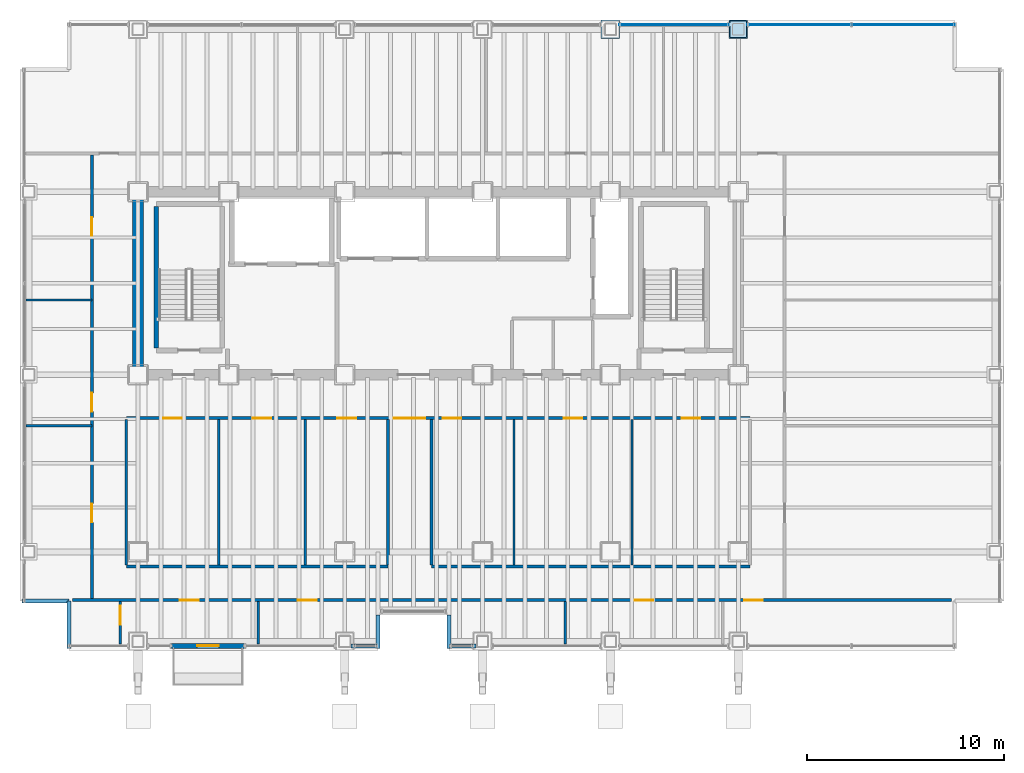
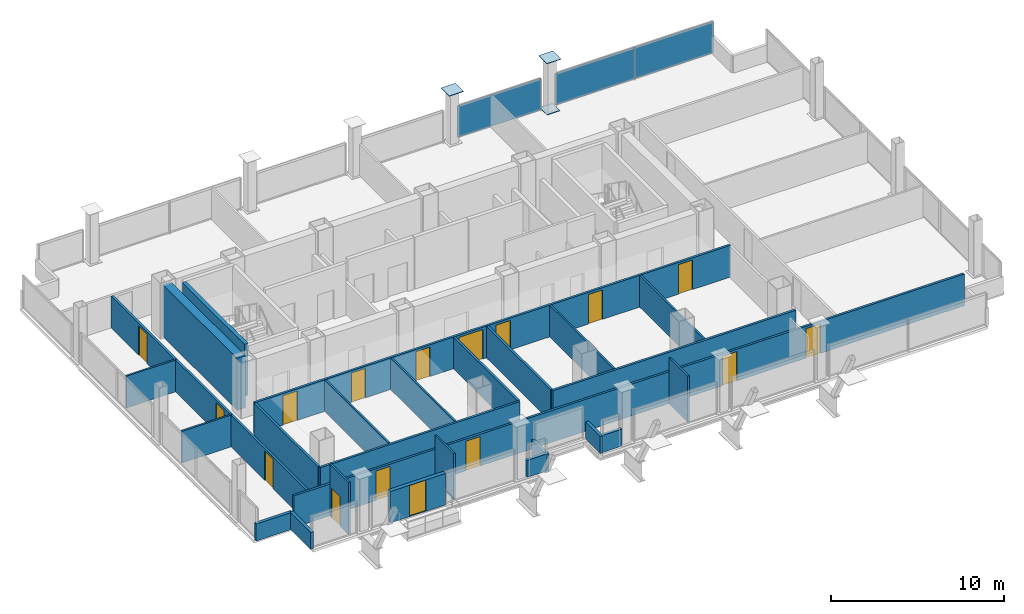
# One storey, part 18 of 21: 26 walls, 16 doors, 6 plates, 16 openings, 2 elements without a shape of their own.
"""IFC4 building model written with IfcOpenShell, lengths in metres."""

from ifc_helpers import new_model, si_unit, direction, frame, frame_2d, origin, origin_2d, place, context, subcontext, project, spatial, rectangle, extrude, material, layer, layer_set, type_object, element, fill, aggregate, save


model = new_model("IFC4")

# Units and contexts
model_context = context("Model", 3, precision=1e-05, world=origin(), true_north=direction((0.0, 1.0)))
body_context = subcontext(model_context, "Body", "Model", "MODEL_VIEW")
ifc_project = project(units=[si_unit("LENGTHUNIT", "METRE"), si_unit("AREAUNIT", "SQUARE_METRE"), si_unit("VOLUMEUNIT", "CUBIC_METRE"), si_unit("PLANEANGLEUNIT", "RADIAN"), si_unit("MASSUNIT", "GRAM", prefix="KILO")], contexts=[model_context])

# Site, building, storey
site_placement = place(None, origin())
site = spatial("IfcSite", under=ifc_project, at=site_placement, CompositionType="ELEMENT")
building_placement = place(site_placement, origin())
building = spatial("IfcBuilding", under=site, at=building_placement, Name="Noeulbin Bourse Tower", CompositionType="ELEMENT")
storey_placement = place(building_placement, frame((0.0, 0.0, 77.199951171875)))
storey = spatial("IfcBuildingStorey", under=building, at=storey_placement, Name="L19", CompositionType="ELEMENT", Elevation=77.199951171875)

# Curtain wall, plate
ifc_material_1 = material(Name="Dark Solar-Control Double Glazing", Category="glass")
curtain_wall_type = type_object("IfcCurtainWallType", Name="CW-SYS-2", PredefinedType="NOTDEFINED", material=ifc_material_1)
curtain_wall_1_placement = place(storey_placement, origin())
curtain_wall_1 = element("IfcCurtainWall", 1, at=curtain_wall_1_placement, inside=storey, type_object=curtain_wall_type, Name="Unitised Curtain Wall CW-L19-N-S5", PredefinedType="NOTDEFINED")
ifc_layer_1 = layer(ifc_material_1, 0.035888671875)
ifc_layer_set_1 = layer_set([ifc_layer_1], Name="Dark Solar-Control Double Glazing")
plate_type_1 = type_object("IfcPlateType", Name="CW-SYS-2-PNL", PredefinedType="CURTAIN_PANEL", material=ifc_layer_set_1)
plate_1_placement = place(storey_placement, frame((40.75, 46.780029296875, 0.0), z_axis=(0.0, 0.0, 1.0), x_axis=(1.0, 0.0, 0.0)))
plate_1 = element("IfcPlate", 2, at=plate_1_placement, type_object=plate_type_1, Name="Glazed Curtain Panel CW-L19-N-S5-P00", PredefinedType="CURTAIN_PANEL", context=body_context, shape_type="SweptSolid", body=[
    extrude(rectangle(XDim=5.580078125, YDim=0.035888671875, at=origin_2d()), origin(), (0.0, 0.0, 1.0), 2.219970703125),
])
aggregate(curtain_wall_1, [plate_1])

# Curtain wall, plates
curtain_wall_2_placement = place(storey_placement, origin())
curtain_wall_2 = element("IfcCurtainWall", 3, at=curtain_wall_2_placement, inside=storey, type_object=curtain_wall_type, Name="Unitised Curtain Wall CW-L19-N-S6", PredefinedType="NOTDEFINED")
plate_2_placement = place(storey_placement, frame((47.10009765625, 46.780029296875, 0.0), z_axis=(0.0, 0.0, 1.0), x_axis=(1.0, 0.0, 0.0)))
plate_2 = element("IfcPlate", 4, at=plate_2_placement, type_object=plate_type_1, Name="Glazed Curtain Panel CW-L19-N-S6-P00", PredefinedType="CURTAIN_PANEL", context=body_context, shape_type="SweptSolid", body=[
    extrude(rectangle(XDim=5.280029296875, YDim=0.035888671875, at=origin_2d()), origin(), (0.0, 0.0, 1.0), 2.219970703125),
])
plate_3_placement = place(storey_placement, frame((52.3798828125, 46.780029296875, 0.0), z_axis=(0.0, 0.0, 1.0), x_axis=(1.0, 0.0, 0.0)))
plate_3 = element("IfcPlate", 5, at=plate_3_placement, type_object=plate_type_1, Name="Glazed Curtain Panel CW-L19-N-S6-P01", PredefinedType="CURTAIN_PANEL", context=body_context, shape_type="SweptSolid", body=[
    extrude(rectangle(XDim=5.280029296875, YDim=0.035888671875, at=origin_2d()), origin(), (0.0, 0.0, 1.0), 2.219970703125),
])
aggregate(curtain_wall_2, [plate_2, plate_3])

# Plates
ifc_material_2 = material(Name="Steel S355", Category="steel")
ifc_layer_2 = layer(ifc_material_2, 0.030029296875)
ifc_layer_set_2 = layer_set([ifc_layer_2], Name="Steel S355")
plate_type_2 = type_object("IfcPlateType", Name="PLT-BN1", PredefinedType="USERDEFINED", material=ifc_layer_set_2)
plate_4_placement = place(storey_placement, frame((44.0, 46.550048828125, 0.0048828125), z_axis=(0.0, 0.0, 1.0), x_axis=(1.0, 0.0, 0.0)))
element("IfcPlate", 6, at=plate_4_placement, inside=storey, type_object=plate_type_2, Name="Perimeter Column Splice Plate BN1-L19-13", ObjectType="SPLICE PLATE", PredefinedType="USERDEFINED", context=body_context, shape_type="SweptSolid", body=[
    extrude(rectangle(XDim=0.85009765625, YDim=0.85009765625, at=origin_2d()), origin(), (0.0, 0.0, 1.0), 0.030029296875),
])
ifc_layer_3 = layer(ifc_material_2, 0.031982421875)
ifc_layer_set_3 = layer_set([ifc_layer_3], Name="Steel S355")
plate_type_3 = type_object("IfcPlateType", Name="PLT-KN3", PredefinedType="USERDEFINED", material=ifc_layer_set_3)
for number, where, z_axis, x_axis, name in (
    (7, (37.5, 46.550048828125, 3.64404296875), (0.0, 0.0, 1.0), (1.0, 0.0, 0.0), "Perimeter Column End Cap Plate KN3-11"),
    (8, (44.0, 46.550048828125, 3.64404296875), (0.0, 0.0, 1.0), (1.0, 0.0, 0.0), "Perimeter Column End Cap Plate KN3-13"),
):
    element("IfcPlate", number, at=place(storey_placement, frame(where, z_axis=z_axis, x_axis=x_axis)), inside=storey, type_object=plate_type_3, Name=name, ObjectType="END PLATE", PredefinedType="USERDEFINED", context=body_context, shape_type="SweptSolid", body=[
        extrude(rectangle(XDim=0.949951171875, YDim=0.949951171875, at=origin_2d()), origin(), (0.0, 0.0, 1.0), 0.031982421875),
    ])

# Wall
ifc_material_3 = material(Name="Concrete C60/75", Category="concrete")
ifc_layer_4 = layer(ifc_material_3, 0.550048828125)
ifc_layer_set_4 = layer_set([ifc_layer_4], Name="Concrete C60/75")
wall_type_1 = type_object("IfcWallType", Name="WAL-CORE-550", PredefinedType="SHEAR", material=ifc_layer_set_4)
wall_1_placement = place(storey_placement, frame((13.5, 29.35009765625, 0.0), z_axis=(0.0, 0.0, 1.0), x_axis=(0.0, 1.0, 0.0)))
element("IfcWall", 9, at=wall_1_placement, inside=storey, type_object=wall_type_1, Name="Rear Core West Shear Wall L19", PredefinedType="SHEAR", context=body_context, shape_type="SweptSolid", body=[
    extrude(rectangle(XDim=8.599853515625, YDim=0.550048828125, at=frame_2d((4.2998046875, 0.0))), origin(), (0.0, 0.0, 1.0), 3.66015625),
])

# Wall, opening, door
ifc_material_4 = material(Name="Precast Concrete C40/50", Category="concrete")
ifc_layer_5 = layer(ifc_material_4, 0.25)
ifc_layer_set_5 = layer_set([ifc_layer_5], Name="Precast Concrete C40/50")
wall_type_2 = type_object("IfcWallType", Name="WAL-EXT-250", PredefinedType="STANDARD", material=ifc_layer_set_5)
wall_2_placement = place(storey_placement, frame((15.199951171875, 15.219970703125, 0.0), z_axis=(0.0, 0.0, 1.0), x_axis=(1.0, 0.0, 0.0)))
wall_2 = element("IfcWall", 10, at=wall_2_placement, inside=storey, type_object=wall_type_2, Name="Balcony Threshold Wall L19", PredefinedType="STANDARD", context=body_context, shape_type="SweptSolid", body=[
    extrude(rectangle(XDim=3.699951171875, YDim=0.25, at=frame_2d((1.85009765625, 0.0))), origin(), (0.0, 0.0, 1.0), 2.219970703125),
])
opening_1_placement = place(wall_2_placement, frame((1.300048828125, 0.0, 0.0)))
opening_1 = element("IfcOpeningElement", 11, at=opening_1_placement, cuts=wall_2, Name="Opening BD-11", PredefinedType="OPENING", context=body_context, shape_type="SweptSolid", body=[
    extrude(rectangle(XDim=1.10009765625, YDim=2.199951171875, at=frame_2d((0.550048828125, 1.10009765625))), frame((0.0, 0.135009765625, 0.0), z_axis=(0.0, -1.0, 0.0), x_axis=(1.0, 0.0, 0.0)), (0.0, 0.0, 1.0), 0.27001953125),
])
ifc_material_5 = material(Name="Thermally Broken Aluminium Framed Glass", Category="aluminium")
door_type_1 = type_object("IfcDoorType", Name="DR-BAL-1100", OperationType="SINGLE_SWING_LEFT", PredefinedType="DOOR", material=ifc_material_5)
door_1_placement = place(opening_1_placement, origin())
door_1 = element("IfcDoor", 12, at=door_1_placement, inside=storey, type_object=door_type_1, Name="Tree-Balcony Access Door BD-L19", OperationType="SINGLE_SWING_LEFT", OverallHeight=2.199951171875, OverallWidth=1.10009765625, PredefinedType="DOOR", context=body_context, shape_type="SweptSolid", body=[
    extrude(rectangle(XDim=1.10009765625, YDim=2.199951171875, at=frame_2d((0.550048828125, 1.10009765625))), frame((0.0, 0.02490234375, 0.0), z_axis=(0.0, -1.0, 0.0), x_axis=(1.0, 0.0, 0.0)), (0.0, 0.0, 1.0), 0.050048828125),
])
fill(opening_1, door_1)

# Walls
ifc_material_6 = material(Name="Concrete C40/50", Category="concrete")
ifc_layer_6 = layer(ifc_material_6, 0.199951171875)
ifc_layer_set_6 = layer_set([ifc_layer_6], Name="Concrete C40/50")
wall_type_3 = type_object("IfcWallType", Name="WAL-PAR-200", PredefinedType="PARAPET", material=ifc_layer_set_6)
for number, where, z_axis, x_axis, name in (
    (13, (24.320068359375, 15.219970703125, 0.0), (0.0, 0.0, 1.0), (1.0, 0.0, 0.0), "Perimeter Pier Spandrel Parapet L19-S1"),
    (14, (29.35009765625, 15.219970703125, 0.0), (0.0, 0.0, 1.0), (1.0, 0.0, 0.0), "Perimeter Pier Spandrel Parapet L19-S2"),
):
    element("IfcWall", number, at=place(storey_placement, frame(where, z_axis=z_axis, x_axis=x_axis)), inside=storey, type_object=wall_type_3, Name=name, PredefinedType="PARAPET", context=body_context, shape_type="SweptSolid", body=[
        extrude(rectangle(XDim=1.329833984375, YDim=0.199951171875, at=frame_2d((0.6650390625, 0.0))), origin(), (0.0, 0.0, 1.0), 1.199951171875),
    ])
for number, where, z_axis, x_axis, name in (
    (15, (7.60009765625, 17.5, 0.0), (0.0, 0.0, 1.0), (1.0, 0.0, 0.0), "Corner Notch Parapet L19-SW1"),
    (16, (10.0, 17.5, 0.0), (0.0, 0.0, 1.0), (0.0, -1.0, 0.0), "Corner Notch Parapet L19-SW2"),
):
    element("IfcWall", number, at=place(storey_placement, frame(where, z_axis=z_axis, x_axis=x_axis)), inside=storey, type_object=wall_type_3, Name=name, PredefinedType="PARAPET", context=body_context, shape_type="SweptSolid", body=[
        extrude(rectangle(XDim=2.39990234375, YDim=0.199951171875, at=frame_2d((1.199951171875, 0.0))), origin(), (0.0, 0.0, 1.0), 1.199951171875),
    ])
for number, where, z_axis, x_axis, name in (
    (17, (25.699951171875, 15.10009765625, 0.0), (0.0, 0.0, 1.0), (0.0, 1.0, 0.0), "Sky-Garden Recess Parapet L19-W"),
    (18, (29.300048828125, 16.800048828125, 0.0), (0.0, 0.0, 1.0), (0.0, -1.0, 0.0), "Sky-Garden Recess Parapet L19-E"),
):
    element("IfcWall", number, at=place(storey_placement, frame(where, z_axis=z_axis, x_axis=x_axis)), inside=storey, type_object=wall_type_3, Name=name, PredefinedType="PARAPET", context=body_context, shape_type="SweptSolid", body=[
        extrude(rectangle(XDim=1.699951171875, YDim=0.199951171875, at=frame_2d((0.85009765625, 0.0))), origin(), (0.0, 0.0, 1.0), 1.199951171875),
    ])
ifc_material_7 = material(Name="Steel Stud Gypsum Partition", Category="steel")
ifc_layer_7 = layer(ifc_material_7, 0.1201171875)
ifc_layer_set_7 = layer_set([ifc_layer_7], Name="Steel Stud Gypsum Partition")
wall_type_4 = type_object("IfcWallType", Name="WAL-PRT-120", PredefinedType="PARTITIONING", material=ifc_layer_set_7)
for number, where, z_axis, x_axis, name in (
    (19, (7.81005859375, 26.39990234375, 0.0), (0.0, 0.0, 1.0), (1.0, 0.0, 0.0), "Interior Partition Wall L19-07"),
    (20, (7.81005859375, 32.800048828125, 0.0), (0.0, 0.0, 1.0), (1.0, 0.0, 0.0), "Interior Partition Wall L19-08"),
):
    element("IfcWall", number, at=place(storey_placement, frame(where, z_axis=z_axis, x_axis=x_axis)), inside=storey, type_object=wall_type_4, Name=name, PredefinedType="PARTITIONING", context=body_context, shape_type="SweptSolid", body=[
        extrude(rectangle(XDim=3.33984375, YDim=0.1201171875, at=frame_2d((1.669921875, 0.0))), origin(), (0.0, 0.0, 1.0), 2.239990234375),
    ])

# Wall, opening, door
wall_3_placement = place(storey_placement, frame((12.60009765625, 15.31005859375, 0.0), z_axis=(0.0, 0.0, 1.0), x_axis=(0.0, 1.0, 0.0)))
wall_3 = element("IfcWall", 21, at=wall_3_placement, inside=storey, type_object=wall_type_4, Name="Interior Partition Wall L19-24", PredefinedType="PARTITIONING", context=body_context, shape_type="SweptSolid", body=[
    extrude(rectangle(XDim=2.155029296875, YDim=0.1201171875, at=frame_2d((1.07763671875, 0.0))), origin(), (0.0, 0.0, 1.0), 3.66015625),
])
opening_2_placement = place(wall_3_placement, frame((0.9951171875, 0.0, 0.0)))
opening_2 = element("IfcOpeningElement", 22, at=opening_2_placement, cuts=wall_3, Name="Opening ID-09", PredefinedType="OPENING", context=body_context, shape_type="SweptSolid", body=[
    extrude(rectangle(XDim=0.949951171875, YDim=2.080078125, at=frame_2d((0.47509765625, 1.0400390625))), frame((0.0, 0.070068359375, 0.0), z_axis=(0.0, -1.0, 0.0), x_axis=(1.0, 0.0, 0.0)), (0.0, 0.0, 1.0), 0.14013671875),
])
ifc_material_8 = material(Name="Acoustic Solid-Core Timber", Category="wood")
door_type_2 = type_object("IfcDoorType", Name="DR-SINGLE-950", OperationType="SINGLE_SWING_LEFT", PredefinedType="DOOR", material=ifc_material_8)
door_2_placement = place(opening_2_placement, origin())
door_2 = element("IfcDoor", 23, at=door_2_placement, inside=storey, type_object=door_type_2, Name="Interior Door L19-08", OperationType="SINGLE_SWING_RIGHT", OverallHeight=2.080078125, OverallWidth=0.949951171875, PredefinedType="DOOR", context=body_context, shape_type="SweptSolid", body=[
    extrude(rectangle(XDim=0.949951171875, YDim=2.080078125, at=frame_2d((0.47509765625, 1.0400390625))), frame((0.0, 0.02490234375, 0.0), z_axis=(0.0, -1.0, 0.0), x_axis=(1.0, 0.0, 0.0)), (0.0, 0.0, 1.0), 0.050048828125),
])
fill(opening_2, door_2)

# Walls
for number, where, z_axis, x_axis, name in (
    (24, (19.60009765625, 15.31005859375, 0.0), (0.0, 0.0, 1.0), (0.0, 1.0, 0.0), "Interior Partition Wall L19-25"),
    (25, (35.199951171875, 15.31005859375, 0.0), (0.0, 0.0, 1.0), (0.0, 1.0, 0.0), "Interior Partition Wall L19-26"),
):
    element("IfcWall", number, at=place(storey_placement, frame(where, z_axis=z_axis, x_axis=x_axis)), inside=storey, type_object=wall_type_4, Name=name, PredefinedType="PARTITIONING", context=body_context, shape_type="SweptSolid", body=[
        extrude(rectangle(XDim=2.155029296875, YDim=0.1201171875, at=frame_2d((1.07763671875, 0.0))), origin(), (0.0, 0.0, 1.0), 3.239990234375),
    ])
for number, where, z_axis, x_axis, name in (
    (26, (17.60009765625, 19.3349609375, 0.0), (0.0, 0.0, 1.0), (0.0, 1.0, 0.0), "Interior Partition Wall L19-28"),
    (27, (22.0, 19.3349609375, 0.0), (0.0, 0.0, 1.0), (0.0, 1.0, 0.0), "Interior Partition Wall L19-29"),
    (28, (32.60009765625, 19.3349609375, 0.0), (0.0, 0.0, 1.0), (0.0, 1.0, 0.0), "Interior Partition Wall L19-30"),
    (29, (38.60009765625, 19.3349609375, 0.0), (0.0, 0.0, 1.0), (0.0, 1.0, 0.0), "Interior Partition Wall L19-31"),
):
    element("IfcWall", number, at=place(storey_placement, frame(where, z_axis=z_axis, x_axis=x_axis)), inside=storey, type_object=wall_type_4, Name=name, PredefinedType="PARTITIONING", context=body_context, shape_type="SweptSolid", body=[
        extrude(rectangle(XDim=7.380126953125, YDim=0.1201171875, at=frame_2d((3.68994140625, 0.0))), origin(), (0.0, 0.0, 1.0), 2.239990234375),
    ])

# Wall, openings, doors
ifc_material_9 = material(Name="Steel Stud Acoustic Gypsum Board", Category="steel")
ifc_layer_8 = layer(ifc_material_9, 0.14990234375)
ifc_layer_set_8 = layer_set([ifc_layer_8], Name="Steel Stud Acoustic Gypsum Board")
wall_type_5 = type_object("IfcWallType", Name="WAL-PRT-150", PredefinedType="PARTITIONING", material=ifc_layer_set_8)
wall_4_placement = place(storey_placement, frame((12.89990234375, 26.800048828125, 0.0), z_axis=(0.0, 0.0, 1.0), x_axis=(1.0, 0.0, 0.0)))
wall_4 = element("IfcWall", 30, at=wall_4_placement, inside=storey, type_object=wall_type_5, Name="Interior Partition Wall L19-03", PredefinedType="PARTITIONING", context=body_context, shape_type="SweptSolid", body=[
    extrude(rectangle(XDim=31.7001953125, YDim=0.14990234375, at=frame_2d((15.85009765625, 0.0))), origin(), (0.0, 0.0, 1.0), 2.239990234375),
])
opening_3_placement = place(wall_4_placement, frame((13.60009765625, 0.0, 0.0)))
opening_3 = element("IfcOpeningElement", 31, at=opening_3_placement, cuts=wall_4, Name="Opening ID-16", PredefinedType="OPENING", context=body_context, shape_type="SweptSolid", body=[
    extrude(rectangle(XDim=1.60009765625, YDim=2.080078125, at=frame_2d((0.800048828125, 1.0400390625))), frame((0.0, 0.0849609375, 0.0), z_axis=(0.0, -1.0, 0.0), x_axis=(1.0, 0.0, 0.0)), (0.0, 0.0, 1.0), 0.169921875),
])
opening_4_placement = place(wall_4_placement, frame((1.875, 0.0, 0.0)))
opening_4 = element("IfcOpeningElement", 32, at=opening_4_placement, cuts=wall_4, Name="Opening ID-09", PredefinedType="OPENING", context=body_context, shape_type="SweptSolid", body=[
    extrude(rectangle(XDim=0.949951171875, YDim=2.080078125, at=frame_2d((0.47509765625, 1.0400390625))), frame((0.0, 0.0849609375, 0.0), z_axis=(0.0, -1.0, 0.0), x_axis=(1.0, 0.0, 0.0)), (0.0, 0.0, 1.0), 0.169921875),
])
opening_5_placement = place(wall_4_placement, frame((6.425048828125, 0.0, 0.0)))
opening_5 = element("IfcOpeningElement", 33, at=opening_5_placement, cuts=wall_4, Name="Opening ID-09", PredefinedType="OPENING", context=body_context, shape_type="SweptSolid", body=[
    extrude(rectangle(XDim=0.949951171875, YDim=2.080078125, at=frame_2d((0.47509765625, 1.0400390625))), frame((0.0, 0.0849609375, 0.0), z_axis=(0.0, -1.0, 0.0), x_axis=(1.0, 0.0, 0.0)), (0.0, 0.0, 1.0), 0.169921875),
])
opening_6_placement = place(wall_4_placement, frame((10.72509765625, 0.0, 0.0)))
opening_6 = element("IfcOpeningElement", 34, at=opening_6_placement, cuts=wall_4, Name="Opening ID-09", PredefinedType="OPENING", context=body_context, shape_type="SweptSolid", body=[
    extrude(rectangle(XDim=0.949951171875, YDim=2.080078125, at=frame_2d((0.47509765625, 1.0400390625))), frame((0.0, 0.0849609375, 0.0), z_axis=(0.0, -1.0, 0.0), x_axis=(1.0, 0.0, 0.0)), (0.0, 0.0, 1.0), 0.169921875),
])
opening_7_placement = place(wall_4_placement, frame((16.074951171875, 0.0, 0.0)))
opening_7 = element("IfcOpeningElement", 35, at=opening_7_placement, cuts=wall_4, Name="Opening ID-09", PredefinedType="OPENING", context=body_context, shape_type="SweptSolid", body=[
    extrude(rectangle(XDim=0.949951171875, YDim=2.080078125, at=frame_2d((0.47509765625, 1.0400390625))), frame((0.0, 0.0849609375, 0.0), z_axis=(0.0, -1.0, 0.0), x_axis=(1.0, 0.0, 0.0)), (0.0, 0.0, 1.0), 0.169921875),
])
opening_8_placement = place(wall_4_placement, frame((22.22509765625, 0.0, 0.0)))
opening_8 = element("IfcOpeningElement", 36, at=opening_8_placement, cuts=wall_4, Name="Opening ID-09", PredefinedType="OPENING", context=body_context, shape_type="SweptSolid", body=[
    extrude(rectangle(XDim=0.949951171875, YDim=2.080078125, at=frame_2d((0.47509765625, 1.0400390625))), frame((0.0, 0.0849609375, 0.0), z_axis=(0.0, -1.0, 0.0), x_axis=(1.0, 0.0, 0.0)), (0.0, 0.0, 1.0), 0.169921875),
])
opening_9_placement = place(wall_4_placement, frame((28.22509765625, 0.0, 0.0)))
opening_9 = element("IfcOpeningElement", 37, at=opening_9_placement, cuts=wall_4, Name="Opening ID-09", PredefinedType="OPENING", context=body_context, shape_type="SweptSolid", body=[
    extrude(rectangle(XDim=0.949951171875, YDim=2.080078125, at=frame_2d((0.47509765625, 1.0400390625))), frame((0.0, 0.0849609375, 0.0), z_axis=(0.0, -1.0, 0.0), x_axis=(1.0, 0.0, 0.0)), (0.0, 0.0, 1.0), 0.169921875),
])
ifc_material_10 = material(Name="Acoustic Glazed Aluminium", Category="aluminium")
door_type_3 = type_object("IfcDoorType", Name="DR-DBL-1600", OperationType="DOUBLE_DOOR_SINGLE_SWING", PredefinedType="DOOR", material=ifc_material_10)
door_3_placement = place(opening_3_placement, origin())
door_3 = element("IfcDoor", 38, at=door_3_placement, inside=storey, type_object=door_type_3, Name="Interior Door L19-07", OperationType="DOUBLE_DOOR_SINGLE_SWING", OverallHeight=2.080078125, OverallWidth=1.60009765625, PredefinedType="DOOR", context=body_context, shape_type="SweptSolid", body=[
    extrude(rectangle(XDim=1.60009765625, YDim=2.080078125, at=frame_2d((0.800048828125, 1.0400390625))), frame((0.0, 0.02490234375, 0.0), z_axis=(0.0, -1.0, 0.0), x_axis=(1.0, 0.0, 0.0)), (0.0, 0.0, 1.0), 0.050048828125),
])
fill(opening_3, door_3)
door_4_placement = place(opening_4_placement, origin())
door_4 = element("IfcDoor", 39, at=door_4_placement, inside=storey, type_object=door_type_2, Name="Interior Door L19-13", OperationType="SINGLE_SWING_LEFT", OverallHeight=2.080078125, OverallWidth=0.949951171875, PredefinedType="DOOR", context=body_context, shape_type="SweptSolid", body=[
    extrude(rectangle(XDim=0.949951171875, YDim=2.080078125, at=frame_2d((0.47509765625, 1.0400390625))), frame((0.0, 0.02490234375, 0.0), z_axis=(0.0, -1.0, 0.0), x_axis=(1.0, 0.0, 0.0)), (0.0, 0.0, 1.0), 0.050048828125),
])
fill(opening_4, door_4)
door_5_placement = place(opening_5_placement, origin())
door_5 = element("IfcDoor", 40, at=door_5_placement, inside=storey, type_object=door_type_2, Name="Interior Door L19-14", OperationType="SINGLE_SWING_RIGHT", OverallHeight=2.080078125, OverallWidth=0.949951171875, PredefinedType="DOOR", context=body_context, shape_type="SweptSolid", body=[
    extrude(rectangle(XDim=0.949951171875, YDim=2.080078125, at=frame_2d((0.47509765625, 1.0400390625))), frame((0.0, 0.02490234375, 0.0), z_axis=(0.0, -1.0, 0.0), x_axis=(1.0, 0.0, 0.0)), (0.0, 0.0, 1.0), 0.050048828125),
])
fill(opening_5, door_5)
door_6_placement = place(opening_6_placement, origin())
door_6 = element("IfcDoor", 41, at=door_6_placement, inside=storey, type_object=door_type_2, Name="Interior Door L19-15", OperationType="SINGLE_SWING_LEFT", OverallHeight=2.080078125, OverallWidth=0.949951171875, PredefinedType="DOOR", context=body_context, shape_type="SweptSolid", body=[
    extrude(rectangle(XDim=0.949951171875, YDim=2.080078125, at=frame_2d((0.47509765625, 1.0400390625))), frame((0.0, 0.02490234375, 0.0), z_axis=(0.0, -1.0, 0.0), x_axis=(1.0, 0.0, 0.0)), (0.0, 0.0, 1.0), 0.050048828125),
])
fill(opening_6, door_6)
door_7_placement = place(opening_7_placement, origin())
door_7 = element("IfcDoor", 42, at=door_7_placement, inside=storey, type_object=door_type_2, Name="Interior Door L19-16", OperationType="SINGLE_SWING_RIGHT", OverallHeight=2.080078125, OverallWidth=0.949951171875, PredefinedType="DOOR", context=body_context, shape_type="SweptSolid", body=[
    extrude(rectangle(XDim=0.949951171875, YDim=2.080078125, at=frame_2d((0.47509765625, 1.0400390625))), frame((0.0, 0.02490234375, 0.0), z_axis=(0.0, -1.0, 0.0), x_axis=(1.0, 0.0, 0.0)), (0.0, 0.0, 1.0), 0.050048828125),
])
fill(opening_7, door_7)
door_8_placement = place(opening_8_placement, origin())
door_8 = element("IfcDoor", 43, at=door_8_placement, inside=storey, type_object=door_type_2, Name="Interior Door L19-17", OperationType="SINGLE_SWING_LEFT", OverallHeight=2.080078125, OverallWidth=0.949951171875, PredefinedType="DOOR", context=body_context, shape_type="SweptSolid", body=[
    extrude(rectangle(XDim=0.949951171875, YDim=2.080078125, at=frame_2d((0.47509765625, 1.0400390625))), frame((0.0, 0.02490234375, 0.0), z_axis=(0.0, -1.0, 0.0), x_axis=(1.0, 0.0, 0.0)), (0.0, 0.0, 1.0), 0.050048828125),
])
fill(opening_8, door_8)
door_9_placement = place(opening_9_placement, origin())
door_9 = element("IfcDoor", 44, at=door_9_placement, inside=storey, type_object=door_type_2, Name="Interior Door L19-18", OperationType="SINGLE_SWING_RIGHT", OverallHeight=2.080078125, OverallWidth=0.949951171875, PredefinedType="DOOR", context=body_context, shape_type="SweptSolid", body=[
    extrude(rectangle(XDim=0.949951171875, YDim=2.080078125, at=frame_2d((0.47509765625, 1.0400390625))), frame((0.0, 0.02490234375, 0.0), z_axis=(0.0, -1.0, 0.0), x_axis=(1.0, 0.0, 0.0)), (0.0, 0.0, 1.0), 0.050048828125),
])
fill(opening_9, door_9)

wall_5_placement = place(storey_placement, frame((10.159912109375, 17.550048828125, 0.0), z_axis=(0.0, 0.0, 1.0), x_axis=(1.0, 0.0, 0.0)))
wall_5 = element("IfcWall", 45, at=wall_5_placement, inside=storey, type_object=wall_type_5, Name="Interior Partition Wall L19-04", PredefinedType="PARTITIONING", context=body_context, shape_type="SweptSolid", body=[
    extrude(rectangle(XDim=44.68017578125, YDim=0.14990234375, at=frame_2d((22.340087890625, 0.0))), origin(), (0.0, 0.0, 1.0), 2.239990234375),
])
opening_10_placement = place(wall_5_placement, frame((5.465087890625, 0.0, 0.0)))
opening_10 = element("IfcOpeningElement", 46, at=opening_10_placement, cuts=wall_5, Name="Opening ID-09", PredefinedType="OPENING", context=body_context, shape_type="SweptSolid", body=[
    extrude(rectangle(XDim=0.949951171875, YDim=2.080078125, at=frame_2d((0.47509765625, 1.0400390625))), frame((0.0, 0.0849609375, 0.0), z_axis=(0.0, -1.0, 0.0), x_axis=(1.0, 0.0, 0.0)), (0.0, 0.0, 1.0), 0.169921875),
])
opening_11_placement = place(wall_5_placement, frame((11.465087890625, 0.0, 0.0)))
opening_11 = element("IfcOpeningElement", 47, at=opening_11_placement, cuts=wall_5, Name="Opening ID-09", PredefinedType="OPENING", context=body_context, shape_type="SweptSolid", body=[
    extrude(rectangle(XDim=0.949951171875, YDim=2.080078125, at=frame_2d((0.47509765625, 1.0400390625))), frame((0.0, 0.0849609375, 0.0), z_axis=(0.0, -1.0, 0.0), x_axis=(1.0, 0.0, 0.0)), (0.0, 0.0, 1.0), 0.169921875),
])
opening_12_placement = place(wall_5_placement, frame((28.56494140625, 0.0, 0.0)))
opening_12 = element("IfcOpeningElement", 48, at=opening_12_placement, cuts=wall_5, Name="Opening ID-09", PredefinedType="OPENING", context=body_context, shape_type="SweptSolid", body=[
    extrude(rectangle(XDim=0.949951171875, YDim=2.080078125, at=frame_2d((0.47509765625, 1.0400390625))), frame((0.0, 0.0849609375, 0.0), z_axis=(0.0, -1.0, 0.0), x_axis=(1.0, 0.0, 0.0)), (0.0, 0.0, 1.0), 0.169921875),
])
opening_13_placement = place(wall_5_placement, frame((34.139892578125, 0.0, 0.0)))
opening_13 = element("IfcOpeningElement", 49, at=opening_13_placement, cuts=wall_5, Name="Opening ID-09", PredefinedType="OPENING", context=body_context, shape_type="SweptSolid", body=[
    extrude(rectangle(XDim=0.949951171875, YDim=2.080078125, at=frame_2d((0.47509765625, 1.0400390625))), frame((0.0, 0.0849609375, 0.0), z_axis=(0.0, -1.0, 0.0), x_axis=(1.0, 0.0, 0.0)), (0.0, 0.0, 1.0), 0.169921875),
])
door_10_placement = place(opening_10_placement, origin())
door_10 = element("IfcDoor", 50, at=door_10_placement, inside=storey, type_object=door_type_2, Name="Interior Door L19-09", OperationType="SINGLE_SWING_LEFT", OverallHeight=2.080078125, OverallWidth=0.949951171875, PredefinedType="DOOR", context=body_context, shape_type="SweptSolid", body=[
    extrude(rectangle(XDim=0.949951171875, YDim=2.080078125, at=frame_2d((0.47509765625, 1.0400390625))), frame((0.0, 0.02490234375, 0.0), z_axis=(0.0, -1.0, 0.0), x_axis=(1.0, 0.0, 0.0)), (0.0, 0.0, 1.0), 0.050048828125),
])
fill(opening_10, door_10)
door_11_placement = place(opening_11_placement, origin())
door_11 = element("IfcDoor", 51, at=door_11_placement, inside=storey, type_object=door_type_2, Name="Interior Door L19-10", OperationType="SINGLE_SWING_RIGHT", OverallHeight=2.080078125, OverallWidth=0.949951171875, PredefinedType="DOOR", context=body_context, shape_type="SweptSolid", body=[
    extrude(rectangle(XDim=0.949951171875, YDim=2.080078125, at=frame_2d((0.47509765625, 1.0400390625))), frame((0.0, 0.02490234375, 0.0), z_axis=(0.0, -1.0, 0.0), x_axis=(1.0, 0.0, 0.0)), (0.0, 0.0, 1.0), 0.050048828125),
])
fill(opening_11, door_11)
door_12_placement = place(opening_12_placement, origin())
door_12 = element("IfcDoor", 52, at=door_12_placement, inside=storey, type_object=door_type_2, Name="Interior Door L19-11", OperationType="SINGLE_SWING_LEFT", OverallHeight=2.080078125, OverallWidth=0.949951171875, PredefinedType="DOOR", context=body_context, shape_type="SweptSolid", body=[
    extrude(rectangle(XDim=0.949951171875, YDim=2.080078125, at=frame_2d((0.47509765625, 1.0400390625))), frame((0.0, 0.02490234375, 0.0), z_axis=(0.0, -1.0, 0.0), x_axis=(1.0, 0.0, 0.0)), (0.0, 0.0, 1.0), 0.050048828125),
])
fill(opening_12, door_12)
door_13_placement = place(opening_13_placement, origin())
door_13 = element("IfcDoor", 53, at=door_13_placement, inside=storey, type_object=door_type_2, Name="Interior Door L19-12", OperationType="SINGLE_SWING_RIGHT", OverallHeight=2.080078125, OverallWidth=0.949951171875, PredefinedType="DOOR", context=body_context, shape_type="SweptSolid", body=[
    extrude(rectangle(XDim=0.949951171875, YDim=2.080078125, at=frame_2d((0.47509765625, 1.0400390625))), frame((0.0, 0.02490234375, 0.0), z_axis=(0.0, -1.0, 0.0), x_axis=(1.0, 0.0, 0.0)), (0.0, 0.0, 1.0), 0.050048828125),
])
fill(opening_13, door_13)

# Walls
wall_6_placement = place(storey_placement, frame((12.89990234375, 19.25, 0.0), z_axis=(0.0, 0.0, 1.0), x_axis=(1.0, 0.0, 0.0)))
element("IfcWall", 54, at=wall_6_placement, inside=storey, type_object=wall_type_5, Name="Interior Partition Wall L19-05", PredefinedType="PARTITIONING", context=body_context, shape_type="SweptSolid", body=[
    extrude(rectangle(XDim=13.300048828125, YDim=0.14990234375, at=frame_2d((6.64990234375, 0.0))), origin(), (0.0, 0.0, 1.0), 2.239990234375),
])
wall_7_placement = place(storey_placement, frame((28.39990234375, 19.25, 0.0), z_axis=(0.0, 0.0, 1.0), x_axis=(1.0, 0.0, 0.0)))
element("IfcWall", 55, at=wall_7_placement, inside=storey, type_object=wall_type_5, Name="Interior Partition Wall L19-06", PredefinedType="PARTITIONING", context=body_context, shape_type="SweptSolid", body=[
    extrude(rectangle(XDim=16.2001953125, YDim=0.14990234375, at=frame_2d((8.10009765625, 0.0))), origin(), (0.0, 0.0, 1.0), 2.239990234375),
])
for number, where, z_axis, x_axis, name in (
    (56, (26.199951171875, 19.3349609375, 0.0), (0.0, 0.0, 1.0), (0.0, 1.0, 0.0), "Interior Partition Wall L19-18"),
    (57, (28.39990234375, 19.3349609375, 0.0), (0.0, 0.0, 1.0), (0.0, 1.0, 0.0), "Interior Partition Wall L19-19"),
):
    element("IfcWall", number, at=place(storey_placement, frame(where, z_axis=z_axis, x_axis=x_axis)), inside=storey, type_object=wall_type_5, Name=name, PredefinedType="PARTITIONING", context=body_context, shape_type="SweptSolid", body=[
        extrude(rectangle(XDim=7.380126953125, YDim=0.14990234375, at=frame_2d((3.68994140625, 0.0))), origin(), (0.0, 0.0, 1.0), 2.239990234375),
    ])

# Wall, openings, doors
wall_8_placement = place(storey_placement, frame((11.14990234375, 17.635009765625, 0.0), z_axis=(0.0, 0.0, 1.0), x_axis=(0.0, 1.0, 0.0)))
wall_8 = element("IfcWall", 58, at=wall_8_placement, inside=storey, type_object=wall_type_5, Name="Interior Partition Wall L19-20", PredefinedType="PARTITIONING", context=body_context, shape_type="SweptSolid", body=[
    extrude(rectangle(XDim=22.530029296875, YDim=0.14990234375, at=frame_2d((11.26513671875, 0.0))), origin(), (0.0, 0.0, 1.0), 2.239990234375),
])
opening_14_placement = place(wall_8_placement, frame((3.864990234375, 0.0, 0.0)))
opening_14 = element("IfcOpeningElement", 59, at=opening_14_placement, cuts=wall_8, Name="Opening ID-09", PredefinedType="OPENING", context=body_context, shape_type="SweptSolid", body=[
    extrude(rectangle(XDim=0.949951171875, YDim=2.080078125, at=frame_2d((0.47509765625, 1.0400390625))), frame((0.0, 0.0849609375, 0.0), z_axis=(0.0, -1.0, 0.0), x_axis=(1.0, 0.0, 0.0)), (0.0, 0.0, 1.0), 0.169921875),
])
opening_15_placement = place(wall_8_placement, frame((9.489990234375, 0.0, 0.0)))
opening_15 = element("IfcOpeningElement", 60, at=opening_15_placement, cuts=wall_8, Name="Opening ID-09", PredefinedType="OPENING", context=body_context, shape_type="SweptSolid", body=[
    extrude(rectangle(XDim=0.949951171875, YDim=2.080078125, at=frame_2d((0.47509765625, 1.0400390625))), frame((0.0, 0.0849609375, 0.0), z_axis=(0.0, -1.0, 0.0), x_axis=(1.0, 0.0, 0.0)), (0.0, 0.0, 1.0), 0.169921875),
])
opening_16_placement = place(wall_8_placement, frame((18.4150390625, 0.0, 0.0)))
opening_16 = element("IfcOpeningElement", 61, at=opening_16_placement, cuts=wall_8, Name="Opening ID-09", PredefinedType="OPENING", context=body_context, shape_type="SweptSolid", body=[
    extrude(rectangle(XDim=0.949951171875, YDim=2.080078125, at=frame_2d((0.47509765625, 1.0400390625))), frame((0.0, 0.0849609375, 0.0), z_axis=(0.0, -1.0, 0.0), x_axis=(1.0, 0.0, 0.0)), (0.0, 0.0, 1.0), 0.169921875),
])
door_14_placement = place(opening_14_placement, origin())
door_14 = element("IfcDoor", 62, at=door_14_placement, inside=storey, type_object=door_type_2, Name="Interior Door L19-19", OperationType="SINGLE_SWING_LEFT", OverallHeight=2.080078125, OverallWidth=0.949951171875, PredefinedType="DOOR", context=body_context, shape_type="SweptSolid", body=[
    extrude(rectangle(XDim=0.949951171875, YDim=2.080078125, at=frame_2d((0.47509765625, 1.0400390625))), frame((0.0, 0.02490234375, 0.0), z_axis=(0.0, -1.0, 0.0), x_axis=(1.0, 0.0, 0.0)), (0.0, 0.0, 1.0), 0.050048828125),
])
fill(opening_14, door_14)
door_15_placement = place(opening_15_placement, origin())
door_15 = element("IfcDoor", 63, at=door_15_placement, inside=storey, type_object=door_type_2, Name="Interior Door L19-20", OperationType="SINGLE_SWING_RIGHT", OverallHeight=2.080078125, OverallWidth=0.949951171875, PredefinedType="DOOR", context=body_context, shape_type="SweptSolid", body=[
    extrude(rectangle(XDim=0.949951171875, YDim=2.080078125, at=frame_2d((0.47509765625, 1.0400390625))), frame((0.0, 0.02490234375, 0.0), z_axis=(0.0, -1.0, 0.0), x_axis=(1.0, 0.0, 0.0)), (0.0, 0.0, 1.0), 0.050048828125),
])
fill(opening_15, door_15)
door_16_placement = place(opening_16_placement, origin())
door_16 = element("IfcDoor", 64, at=door_16_placement, inside=storey, type_object=door_type_2, Name="Interior Door L19-21", OperationType="SINGLE_SWING_LEFT", OverallHeight=2.080078125, OverallWidth=0.949951171875, PredefinedType="DOOR", context=body_context, shape_type="SweptSolid", body=[
    extrude(rectangle(XDim=0.949951171875, YDim=2.080078125, at=frame_2d((0.47509765625, 1.0400390625))), frame((0.0, 0.02490234375, 0.0), z_axis=(0.0, -1.0, 0.0), x_axis=(1.0, 0.0, 0.0)), (0.0, 0.0, 1.0), 0.050048828125),
])
fill(opening_16, door_16)

# Walls
wall_9_placement = place(storey_placement, frame((12.89990234375, 19.3349609375, 0.0), z_axis=(0.0, 0.0, 1.0), x_axis=(0.0, 1.0, 0.0)))
element("IfcWall", 65, at=wall_9_placement, inside=storey, type_object=wall_type_5, Name="Interior Partition Wall L19-21", PredefinedType="PARTITIONING", context=body_context, shape_type="SweptSolid", body=[
    extrude(rectangle(XDim=7.380126953125, YDim=0.14990234375, at=frame_2d((3.68994140625, 0.0))), origin(), (0.0, 0.0, 1.0), 2.239990234375),
])
ifc_layer_9 = layer(ifc_material_6, 0.25)
ifc_layer_set_9 = layer_set([ifc_layer_9], Name="Concrete C40/50")
wall_type_6 = type_object("IfcWallType", Name="WAL-SHFT-250", PredefinedType="STANDARD", material=ifc_layer_set_9)
wall_10_placement = place(storey_placement, frame((14.425048828125, 30.360107421875, 0.0), z_axis=(0.0, 0.0, 1.0), x_axis=(0.0, 1.0, 0.0)))
element("IfcWall", 66, at=wall_10_placement, inside=storey, type_object=wall_type_6, Name="Stair ST-1 West Shaft Wall L19", PredefinedType="STANDARD", context=body_context, shape_type="SweptSolid", body=[
    extrude(rectangle(XDim=7.183837890625, YDim=0.25, at=frame_2d((3.591796875, 0.0))), origin(), (0.0, 0.0, 1.0), 3.66015625),
])

save(model, "model.ifc")
